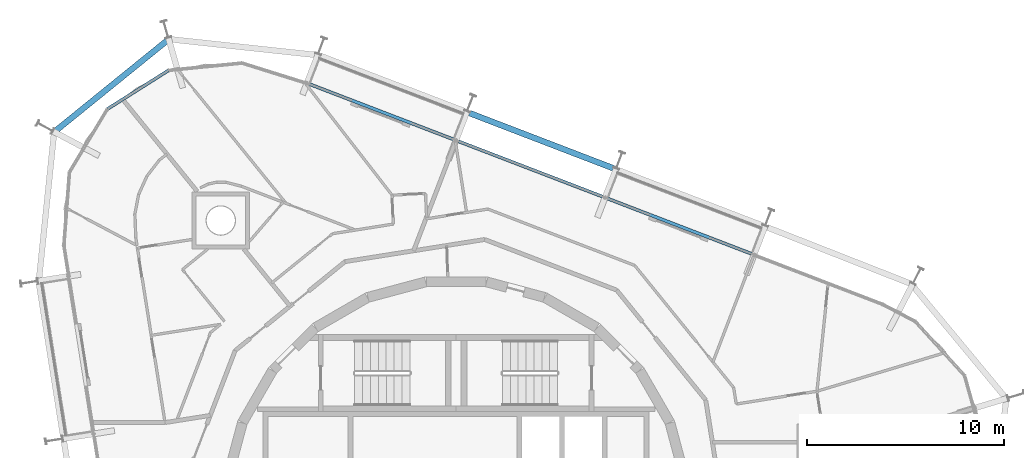
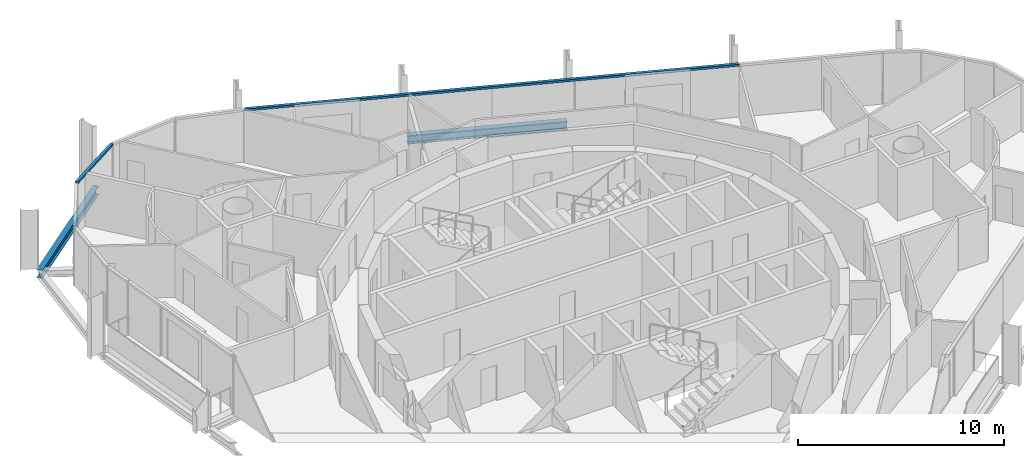
# One storey, part 7 of 18: 2 beams, 2 members, 2 elements without a shape of their own.
"""IFC4 building model written with IfcOpenShell, lengths in metres."""

from ifc_helpers import new_model, si_unit, direction, frame, origin, origin_2d, place, context, subcontext, project, spatial, rectangle, i_section, extrude, material, layer, layer_set, material_profile, profile_set, type_object, element, aggregate, save


model = new_model("IFC4")

# Units and contexts
model_context = context("Model", 3, precision=1e-05, world=origin(), true_north=direction((0.0, 1.0)))
body_context = subcontext(model_context, "Body", "Model", "MODEL_VIEW")
ifc_project = project(units=[si_unit("LENGTHUNIT", "METRE"), si_unit("AREAUNIT", "SQUARE_METRE"), si_unit("VOLUMEUNIT", "CUBIC_METRE"), si_unit("PLANEANGLEUNIT", "RADIAN"), si_unit("MASSUNIT", "GRAM", prefix="KILO")], contexts=[model_context])

# Site, building, storey
site_placement = place(None, origin())
site = spatial("IfcSite", under=ifc_project, at=site_placement, CompositionType="ELEMENT")
building_placement = place(site_placement, origin())
building = spatial("IfcBuilding", under=site, at=building_placement, Name="Spindle Arch Residences", CompositionType="ELEMENT")
storey_placement = place(building_placement, frame((0.0, 0.0, 280.89990234375)))
storey = spatial("IfcBuildingStorey", under=building, at=storey_placement, Name="L72", CompositionType="ELEMENT", Elevation=280.89990234375)

# Curtain wall, member
ifc_material_1 = material(Name="Aluminium bronze unitised frame with tinted glass", Category="aluminium")
ifc_layer_1 = layer(ifc_material_1, 0.159912109375)
ifc_layer_set_1 = layer_set([ifc_layer_1], Name="CW-C typical residential unitised wall")
curtain_wall_type_1 = type_object("IfcCurtainWallType", Name="CW-C typical residential unitised wall", PredefinedType="NOTDEFINED", material=ifc_layer_set_1)
curtain_wall_1_placement = place(storey_placement, origin())
curtain_wall_1 = element("IfcCurtainWall", 1, at=curtain_wall_1_placement, inside=storey, type_object=curtain_wall_type_1, Name="CW-C L72 run 2", PredefinedType="NOTDEFINED")
ifc_material_2 = material(Name="Aluminium bronze anodised transom", Category="aluminium")
ifc_material_profile_1 = material_profile(ifc_material_2, rectangle(XDim=0.159912109375, YDim=0.1201171875, at=origin_2d()), Name="TR 120x160")
ifc_profile_set_1 = profile_set([ifc_material_profile_1], Name="Aluminium bronze anodised transom")
member_type = type_object("IfcMemberType", Name="Bronze transom 120x160", PredefinedType="USERDEFINED", material=ifc_profile_set_1)
member_1_placement = place(storey_placement, frame((15.1015625, 13.0302734375, 3.06005859375), z_axis=(-0.933583473728, 0.358360011138, 0.0), x_axis=(-0.358360011138, -0.933583473728, 0.0)))
member_1 = element("IfcMember", 2, at=member_1_placement, type_object=member_type, Name="CW-C transom 00", ObjectType="TRANSOM", PredefinedType="USERDEFINED", context=body_context, shape_type="SweptSolid", body=[
    extrude(rectangle(XDim=0.159912109375, YDim=0.1201171875, at=origin_2d()), origin(), (0.0, 0.0, 1.0), 24.262939453125),
])
aggregate(curtain_wall_1, [member_1])

ifc_material_3 = material(Name="Aluminium bronze unitised frame with tinted glass", Category="aluminium")
ifc_layer_2 = layer(ifc_material_3, 0.159912109375)
ifc_layer_set_2 = layer_set([ifc_layer_2], Name="CW-D corner wall on the fillet arcs")
curtain_wall_type_2 = type_object("IfcCurtainWallType", Name="CW-D corner wall on the fillet arcs", PredefinedType="NOTDEFINED", material=ifc_layer_set_2)
curtain_wall_2_placement = place(storey_placement, origin())
curtain_wall_2 = element("IfcCurtainWall", 3, at=curtain_wall_2_placement, inside=storey, type_object=curtain_wall_type_2, Name="CW-D L72 run 3", PredefinedType="NOTDEFINED")
member_2_placement = place(storey_placement, frame((-14.608642578125, 22.38427734375, 3.06005859375), z_axis=(-0.844958488621, -0.53483189182, 0.0), x_axis=(0.53483189182, -0.844958488621, 0.0)))
member_2 = element("IfcMember", 4, at=member_2_placement, type_object=member_type, Name="CW-D transom 02", ObjectType="TRANSOM", PredefinedType="USERDEFINED", context=body_context, shape_type="SweptSolid", body=[
    extrude(rectangle(XDim=0.159912109375, YDim=0.1201171875, at=origin_2d()), origin(), (0.0, 0.0, 1.0), 3.6669921875),
])
aggregate(curtain_wall_2, [member_2])

# Beams
ifc_material_4 = material(Name="Steel S460ML, intumescent coating R 120", Category="steel")
ifc_material_profile_2 = material_profile(ifc_material_4, i_section(OverallWidth=0.300048828125, OverallDepth=0.5, WebThickness=0.014404296875, FlangeThickness=0.028076171875, FilletRadius=0.027099609375, at=origin_2d()), Name="HEB 500")
ifc_profile_set_2 = profile_set([ifc_material_profile_2], Name="Steel S460ML, intumescent coating R 120")
beam_type = type_object("IfcBeamType", Name="Exoskeleton edge beam HEB 500", PredefinedType="BEAM", material=ifc_profile_set_2)
beam_1_placement = place(storey_placement, frame((7.990966796875, 17.4091796875, -0.6298828125), z_axis=(-0.933573929793, 0.358384873579, 0.0), x_axis=(-0.358384873579, -0.933573929793, 0.0)))
element("IfcBeam", 5, at=beam_1_placement, inside=storey, type_object=beam_type, Name="Exoskeleton edge beam 7", PredefinedType="BEAM", context=body_context, shape_type="SweptSolid", body=[
    extrude(i_section(OverallWidth=0.300048828125, OverallDepth=0.5, WebThickness=0.014404296875, FlangeThickness=0.028076171875, FilletRadius=0.027099609375, at=origin_2d()), origin(), (0.0, 0.0, 1.0), 7.84765625),
])
beam_2_placement = place(storey_placement, frame((-14.536376953125, 24.014404296875, -0.6298828125), z_axis=(-0.777131622496, -0.62933809778, 0.0), x_axis=(0.62933809778, -0.777131622496, 0.0)))
element("IfcBeam", 6, at=beam_2_placement, inside=storey, type_object=beam_type, Name="Exoskeleton edge beam 10", PredefinedType="BEAM", context=body_context, shape_type="SweptSolid", body=[
    extrude(i_section(OverallWidth=0.300048828125, OverallDepth=0.5, WebThickness=0.014404296875, FlangeThickness=0.028076171875, FilletRadius=0.027099609375, at=origin_2d()), origin(), (0.0, 0.0, 1.0), 7.6318359375),
])

save(model, "model.ifc")
